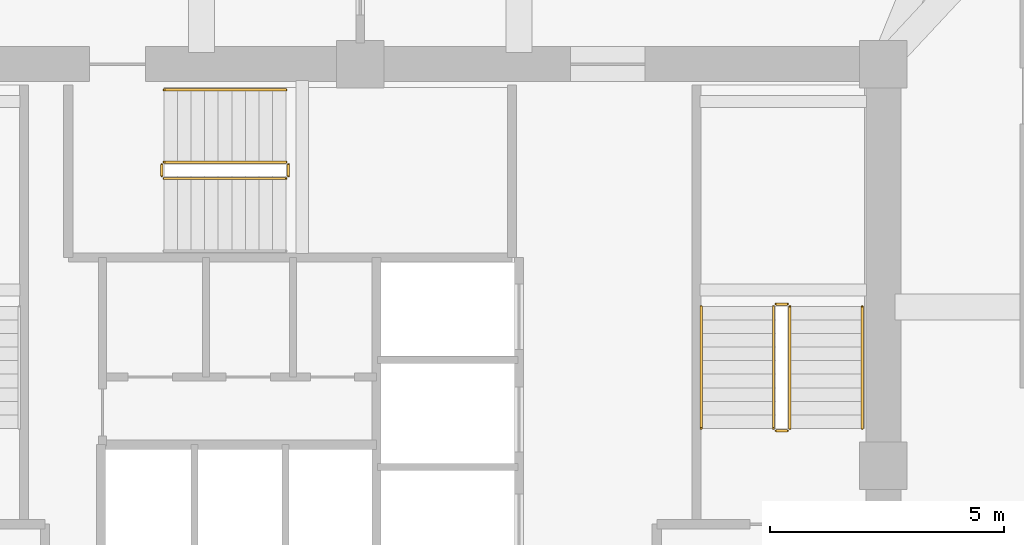
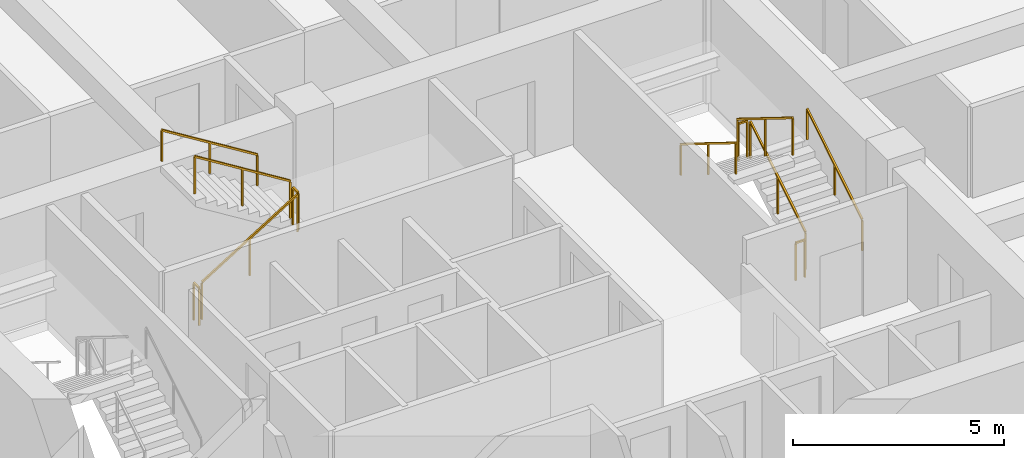
# One storey, part 12 of 12: 11 railings.
"""IFC4 building model written with IfcOpenShell, lengths in metres."""

from ifc_helpers import new_model, si_unit, derived_unit, direction, frame, origin, origin_2d, place, context, subcontext, project, spatial, rectangle, extrude, material, type_object, element, save


model = new_model("IFC4")

# Units and contexts
model_context = context("Model", 3, precision=1e-05, world=origin(), true_north=direction((0.0, 1.0)))
body_context = subcontext(model_context, "Body", "Model", "MODEL_VIEW")
ifc_project = project(units=[si_unit("LENGTHUNIT", "METRE"), si_unit("AREAUNIT", "SQUARE_METRE"), si_unit("VOLUMEUNIT", "CUBIC_METRE"), si_unit("PLANEANGLEUNIT", "RADIAN"), si_unit("MASSUNIT", "GRAM", prefix="KILO"), derived_unit("THERMALTRANSMITTANCEUNIT", [(si_unit("POWERUNIT", "WATT"), 1), (si_unit("LENGTHUNIT", "METRE"), -2), (si_unit("THERMODYNAMICTEMPERATUREUNIT", "KELVIN"), -1)])], contexts=[model_context])

# Site, building, storey
site_placement = place(None, origin())
site = spatial("IfcSite", under=ifc_project, at=site_placement, CompositionType="ELEMENT")
building_placement = place(site_placement, origin())
building = spatial("IfcBuilding", under=site, at=building_placement, Name="Koralith Skygarden Medical Center", CompositionType="ELEMENT")
storey_placement = place(building_placement, frame((0.0, 0.0, 149.219970703125)))
storey = spatial("IfcBuildingStorey", under=building, at=storey_placement, Name="L38", CompositionType="ELEMENT", Elevation=149.219970703125)

# Railings
ifc_material = material(Name="Steel ASTM A500 Grade C", Category="steel")
railing_type_1 = type_object("IfcRailingType", Name="Stair Flight Tubular Handrail 920", PredefinedType="HANDRAIL", material=ifc_material)
railing_1_placement = place(storey_placement, frame((47.75, 26.699951171875, 0.179931640625)))
element("IfcRailing", 1, at=railing_1_placement, inside=storey, type_object=railing_type_1, Name="L38 ST2 stair handrail 1", PredefinedType="HANDRAIL", context=body_context, shape_type="SweptSolid", body=[
    extrude(rectangle(XDim=0.050048828125, YDim=0.050048828125, at=origin_2d()), frame((0.0, 0.001708984375, 0.89599609375), z_axis=(0.0, 0.849632798774, 0.527374731332), x_axis=(-1.0, 0.0, 0.0)), (0.0, 0.0, 1.0), 3.068115234375),
    extrude(rectangle(XDim=0.0419921875, YDim=0.0419921875, at=origin_2d()), origin(), (0.0, 0.0, 1.0), 0.867919921875),
    extrude(rectangle(XDim=0.0419921875, YDim=0.0419921875, at=origin_2d()), frame((0.0, 1.30517578125, 0.81005859375)), (0.0, 0.0, 1.0), 0.867919921875),
    extrude(rectangle(XDim=0.0419921875, YDim=0.0419921875, at=origin_2d()), frame((0.0, 2.610107421875, 1.6201171875)), (0.0, 0.0, 1.0), 0.867919921875),
])
railing_2_placement = place(storey_placement, frame((44.300048828125, 29.31005859375, 1.97998046875)))
element("IfcRailing", 2, at=railing_2_placement, inside=storey, type_object=railing_type_1, Name="L38 ST2 stair handrail 2", PredefinedType="HANDRAIL", context=body_context, shape_type="SweptSolid", body=[
    extrude(rectangle(XDim=0.050048828125, YDim=0.050048828125, at=origin_2d()), frame((0.0, -0.001708984375, 0.89599609375), z_axis=(0.0, -0.849632798774, 0.527374731332), x_axis=(1.0, 0.0, 0.0)), (0.0, 0.0, 1.0), 3.068115234375),
    extrude(rectangle(XDim=0.0419921875, YDim=0.0419921875, at=origin_2d()), origin(), (0.0, 0.0, 1.0), 0.867919921875),
    extrude(rectangle(XDim=0.0419921875, YDim=0.0419921875, at=origin_2d()), frame((0.0, -1.30517578125, 0.81005859375)), (0.0, 0.0, 1.0), 0.867919921875),
    extrude(rectangle(XDim=0.0419921875, YDim=0.0419921875, at=origin_2d()), frame((0.0, -2.610107421875, 1.6201171875)), (0.0, 0.0, 1.0), 0.867919921875),
])
railing_3_placement = place(storey_placement, frame((35.409912109375, 33.949951171875, 1.97998046875)))
element("IfcRailing", 3, at=railing_3_placement, inside=storey, type_object=railing_type_1, Name="L38 ST3 stair handrail 2", PredefinedType="HANDRAIL", context=body_context, shape_type="SweptSolid", body=[
    extrude(rectangle(XDim=0.050048828125, YDim=0.050048828125, at=origin_2d()), frame((-0.001708984375, 0.0, 0.89599609375), z_axis=(-0.849610693518, 0.0, 0.52741034258), x_axis=(0.0, -1.0, 0.0)), (0.0, 0.0, 1.0), 3.06787109375),
    extrude(rectangle(XDim=0.0419921875, YDim=0.0419921875, at=origin_2d()), origin(), (0.0, 0.0, 1.0), 0.867919921875),
    extrude(rectangle(XDim=0.0419921875, YDim=0.0419921875, at=origin_2d()), frame((-1.304931640625, 0.0, 0.81005859375)), (0.0, 0.0, 1.0), 0.867919921875),
    extrude(rectangle(XDim=0.0419921875, YDim=0.0419921875, at=origin_2d()), frame((-2.60986328125, 0.0, 1.6201171875)), (0.0, 0.0, 1.0), 0.867919921875),
])
railing_type_2 = type_object("IfcRailingType", Name="Stair Well Safety Guardrail 1100", PredefinedType="GUARDRAIL", material=ifc_material)
railing_4_placement = place(storey_placement, frame((46.199951171875, 26.699951171875, 0.179931640625)))
element("IfcRailing", 4, at=railing_4_placement, inside=storey, type_object=railing_type_2, Name="L38 ST2 stair guard 1", PredefinedType="GUARDRAIL", context=body_context, shape_type="SweptSolid", body=[
    extrude(rectangle(XDim=0.050048828125, YDim=0.050048828125, at=origin_2d()), frame((0.0, 0.001708984375, 1.076171875), z_axis=(0.0, 0.849632798774, 0.527374731332), x_axis=(-1.0, 0.0, 0.0)), (0.0, 0.0, 1.0), 3.068115234375),
    extrude(rectangle(XDim=0.0419921875, YDim=0.0419921875, at=origin_2d()), origin(), (0.0, 0.0, 1.0), 1.048095703125),
    extrude(rectangle(XDim=0.0419921875, YDim=0.0419921875, at=origin_2d()), frame((0.0, 1.30517578125, 0.81005859375)), (0.0, 0.0, 1.0), 1.048095703125),
    extrude(rectangle(XDim=0.0419921875, YDim=0.0419921875, at=origin_2d()), frame((0.0, 2.610107421875, 1.6201171875)), (0.0, 0.0, 1.0), 1.048095703125),
])
railing_5_placement = place(storey_placement, frame((46.14990234375, 29.360107421875, 1.800048828125)))
element("IfcRailing", 5, at=railing_5_placement, inside=storey, type_object=railing_type_2, Name="L38 ST2 stair guard 2", PredefinedType="GUARDRAIL", context=body_context, shape_type="SweptSolid", body=[
    extrude(rectangle(XDim=0.050048828125, YDim=0.050048828125, at=origin_2d()), frame((-0.001953125, 0.0, 1.0751953125), z_axis=(-1.0, 0.0, 0.0), x_axis=(0.0, -1.0, 0.0)), (0.0, 0.0, 1.0), 0.24609375),
    extrude(rectangle(XDim=0.0419921875, YDim=0.0419921875, at=origin_2d()), origin(), (0.0, 0.0, 1.0), 1.048095703125),
    extrude(rectangle(XDim=0.0419921875, YDim=0.0419921875, at=origin_2d()), frame((-0.25, 0.0, 0.0)), (0.0, 0.0, 1.0), 1.048095703125),
])
railing_6_placement = place(storey_placement, frame((45.85009765625, 29.31005859375, 1.97998046875)))
element("IfcRailing", 6, at=railing_6_placement, inside=storey, type_object=railing_type_2, Name="L38 ST2 stair guard 3", PredefinedType="GUARDRAIL", context=body_context, shape_type="SweptSolid", body=[
    extrude(rectangle(XDim=0.050048828125, YDim=0.050048828125, at=origin_2d()), frame((0.0, -0.001708984375, 1.076171875), z_axis=(0.0, -0.849632798774, 0.527374731332), x_axis=(1.0, 0.0, 0.0)), (0.0, 0.0, 1.0), 3.068115234375),
    extrude(rectangle(XDim=0.0419921875, YDim=0.0419921875, at=origin_2d()), origin(), (0.0, 0.0, 1.0), 1.048095703125),
    extrude(rectangle(XDim=0.0419921875, YDim=0.0419921875, at=origin_2d()), frame((0.0, -1.30517578125, 0.81005859375)), (0.0, 0.0, 1.0), 1.048095703125),
    extrude(rectangle(XDim=0.0419921875, YDim=0.0419921875, at=origin_2d()), frame((0.0, -2.610107421875, 1.6201171875)), (0.0, 0.0, 1.0), 1.048095703125),
])
railing_7_placement = place(storey_placement, frame((46.14990234375, 26.64990234375, 0.0)))
element("IfcRailing", 7, at=railing_7_placement, inside=storey, type_object=railing_type_2, Name="L38 ST2 stair guard 4", PredefinedType="GUARDRAIL", context=body_context, shape_type="SweptSolid", body=[
    extrude(rectangle(XDim=0.050048828125, YDim=0.050048828125, at=origin_2d()), frame((-0.001953125, 0.0, 1.0751953125), z_axis=(-1.0, 0.0, 0.0), x_axis=(0.0, -1.0, 0.0)), (0.0, 0.0, 1.0), 0.24609375),
    extrude(rectangle(XDim=0.0419921875, YDim=0.0419921875, at=origin_2d()), origin(), (0.0, 0.0, 1.0), 1.048095703125),
    extrude(rectangle(XDim=0.0419921875, YDim=0.0419921875, at=origin_2d()), frame((-0.25, 0.0, 0.0)), (0.0, 0.0, 1.0), 1.048095703125),
])
railing_8_placement = place(storey_placement, frame((32.800048828125, 32.050048828125, 0.179931640625)))
element("IfcRailing", 8, at=railing_8_placement, inside=storey, type_object=railing_type_2, Name="L38 ST3 stair guard 1", PredefinedType="GUARDRAIL", context=body_context, shape_type="SweptSolid", body=[
    extrude(rectangle(XDim=0.050048828125, YDim=0.050048828125, at=origin_2d()), frame((0.001708984375, 0.0, 1.076171875), z_axis=(0.849610693518, 0.0, 0.52741034258), x_axis=(0.0, 1.0, 0.0)), (0.0, 0.0, 1.0), 3.06787109375),
    extrude(rectangle(XDim=0.0419921875, YDim=0.0419921875, at=origin_2d()), origin(), (0.0, 0.0, 1.0), 1.048095703125),
    extrude(rectangle(XDim=0.0419921875, YDim=0.0419921875, at=origin_2d()), frame((1.304931640625, 0.0, 0.81005859375)), (0.0, 0.0, 1.0), 1.048095703125),
    extrude(rectangle(XDim=0.0419921875, YDim=0.0419921875, at=origin_2d()), frame((2.60986328125, 0.0, 1.6201171875)), (0.0, 0.0, 1.0), 1.048095703125),
])
railing_9_placement = place(storey_placement, frame((35.4599609375, 32.10009765625, 1.800048828125)))
element("IfcRailing", 9, at=railing_9_placement, inside=storey, type_object=railing_type_2, Name="L38 ST3 stair guard 2", PredefinedType="GUARDRAIL", context=body_context, shape_type="SweptSolid", body=[
    extrude(rectangle(XDim=0.050048828125, YDim=0.050048828125, at=origin_2d()), frame((0.0, 0.001953125, 1.0751953125), z_axis=(0.0, 1.0, 0.0), x_axis=(-1.0, 0.0, 0.0)), (0.0, 0.0, 1.0), 0.24609375),
    extrude(rectangle(XDim=0.0419921875, YDim=0.0419921875, at=origin_2d()), origin(), (0.0, 0.0, 1.0), 1.048095703125),
    extrude(rectangle(XDim=0.0419921875, YDim=0.0419921875, at=origin_2d()), frame((0.0, 0.25, 0.0)), (0.0, 0.0, 1.0), 1.048095703125),
])
railing_10_placement = place(storey_placement, frame((35.409912109375, 32.39990234375, 1.97998046875)))
element("IfcRailing", 10, at=railing_10_placement, inside=storey, type_object=railing_type_2, Name="L38 ST3 stair guard 3", PredefinedType="GUARDRAIL", context=body_context, shape_type="SweptSolid", body=[
    extrude(rectangle(XDim=0.050048828125, YDim=0.050048828125, at=origin_2d()), frame((-0.001708984375, 0.0, 1.076171875), z_axis=(-0.849610693518, 0.0, 0.52741034258), x_axis=(0.0, -1.0, 0.0)), (0.0, 0.0, 1.0), 3.06787109375),
    extrude(rectangle(XDim=0.0419921875, YDim=0.0419921875, at=origin_2d()), origin(), (0.0, 0.0, 1.0), 1.048095703125),
    extrude(rectangle(XDim=0.0419921875, YDim=0.0419921875, at=origin_2d()), frame((-1.304931640625, 0.0, 0.81005859375)), (0.0, 0.0, 1.0), 1.048095703125),
    extrude(rectangle(XDim=0.0419921875, YDim=0.0419921875, at=origin_2d()), frame((-2.60986328125, 0.0, 1.6201171875)), (0.0, 0.0, 1.0), 1.048095703125),
])
railing_11_placement = place(storey_placement, frame((32.75, 32.10009765625, 0.0)))
element("IfcRailing", 11, at=railing_11_placement, inside=storey, type_object=railing_type_2, Name="L38 ST3 stair guard 4", PredefinedType="GUARDRAIL", context=body_context, shape_type="SweptSolid", body=[
    extrude(rectangle(XDim=0.050048828125, YDim=0.050048828125, at=origin_2d()), frame((0.0, 0.001953125, 1.0751953125), z_axis=(0.0, 1.0, 0.0), x_axis=(-1.0, 0.0, 0.0)), (0.0, 0.0, 1.0), 0.24609375),
    extrude(rectangle(XDim=0.0419921875, YDim=0.0419921875, at=origin_2d()), origin(), (0.0, 0.0, 1.0), 1.048095703125),
    extrude(rectangle(XDim=0.0419921875, YDim=0.0419921875, at=origin_2d()), frame((0.0, 0.25, 0.0)), (0.0, 0.0, 1.0), 1.048095703125),
])

save(model, "model.ifc")
